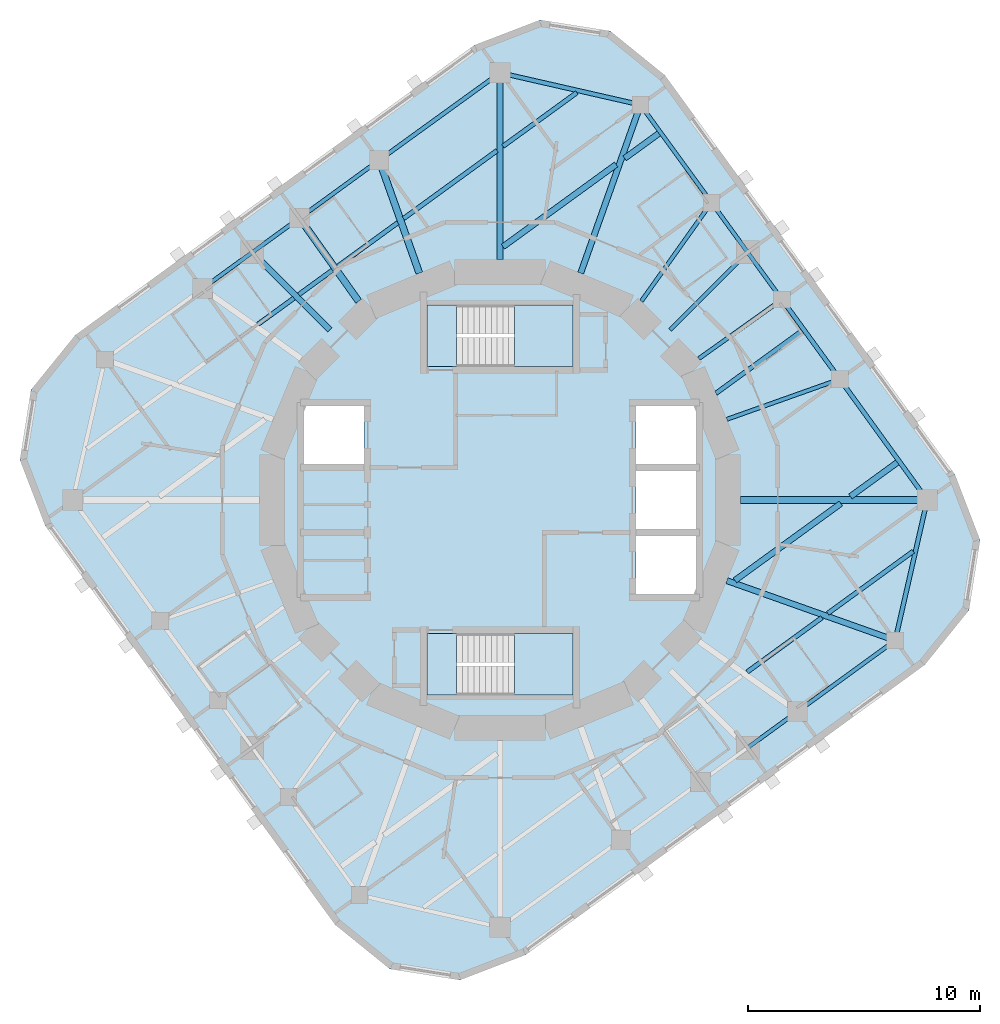
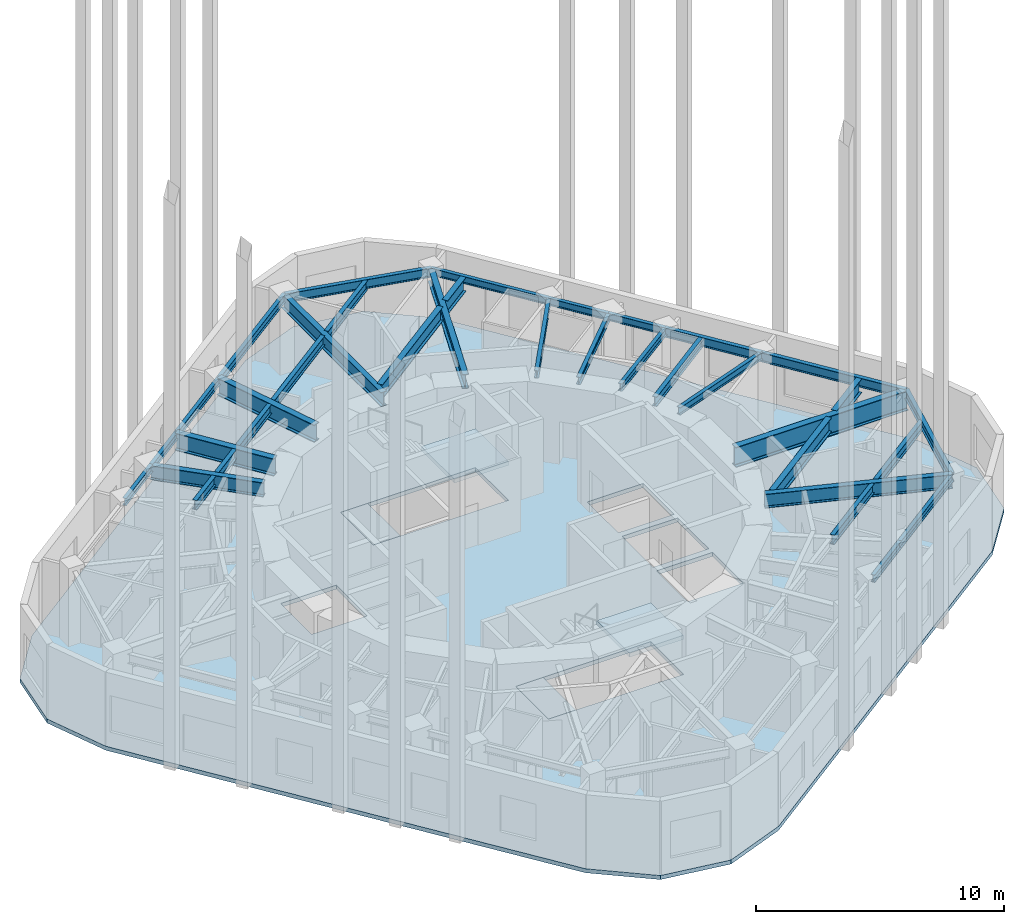
# One storey, part 2 of 9: 36 beams, 5 slabs, 2 elements without a shape of their own.
"""IFC4 building model written with IfcOpenShell, lengths in metres."""

from ifc_helpers import new_model, si_unit, direction, frame, origin, origin_2d, place, context, subcontext, project, spatial, polyline, i_section, outline, extrude, material, layer, layer_set, material_profile, profile_set, type_object, element, aggregate, save


model = new_model("IFC4")

# Units and contexts
model_context = context("Model", 3, precision=1e-05, world=origin(), true_north=direction((0.0, 1.0)))
body_context = subcontext(model_context, "Body", "Model", "MODEL_VIEW")
ifc_project = project(units=[si_unit("LENGTHUNIT", "METRE"), si_unit("AREAUNIT", "SQUARE_METRE"), si_unit("VOLUMEUNIT", "CUBIC_METRE"), si_unit("PLANEANGLEUNIT", "RADIAN"), si_unit("MASSUNIT", "GRAM", prefix="KILO")], contexts=[model_context])

# Site, building, storey
site_placement = place(None, origin())
site = spatial("IfcSite", under=ifc_project, at=site_placement, CompositionType="ELEMENT")
building_placement = place(site_placement, origin())
building = spatial("IfcBuilding", under=site, at=building_placement, Name="Nakasero Lantern House", CompositionType="ELEMENT")
storey_placement = place(building_placement, frame((0.0, 0.0, 263.75)))
storey = spatial("IfcBuildingStorey", under=building, at=storey_placement, Name="L64", CompositionType="ELEMENT", Elevation=263.75)

# Beams
ifc_material_1 = material(Name="Steel S355", Category="steel")
ifc_material_profile_1 = material_profile(ifc_material_1, i_section(OverallWidth=0.19140625, OverallDepth=0.4599609375, WebThickness=0.010009765625, FlangeThickness=0.01611328125, FilletRadius=0.01025390625, at=origin_2d()), Name="UB 457x191x82")
ifc_profile_set_1 = profile_set([ifc_material_profile_1], Name="Steel S355")
beam_type_1 = type_object("IfcBeamType", Name="Infill beam UB 457x191x82", PredefinedType="JOIST", material=ifc_profile_set_1)
beam_1_placement = place(storey_placement, frame((10.646240234375, -7.406982421875, 3.419921875), z_axis=(0.809006350712, 0.587799901759, 0.0), x_axis=(-0.587799901759, 0.809006350712, 0.0)))
element("IfcBeam", 1, at=beam_1_placement, inside=storey, type_object=beam_type_1, Name="Infill beam L65 03.6", PredefinedType="JOIST", context=body_context, shape_type="SweptSolid", body=[
    extrude(i_section(OverallWidth=0.19140625, OverallDepth=0.4599609375, WebThickness=0.010009765625, FlangeThickness=0.01611328125, FilletRadius=0.01025390625, at=origin_2d()), origin(), (0.0, 0.0, 1.0), 3.983154296875),
])
beam_2_placement = place(storey_placement, frame((14.117431640625, -4.885009765625, 3.419921875), z_axis=(0.80901210161, 0.587791986546, 0.0), x_axis=(-0.587791986546, 0.80901210161, 0.0)))
element("IfcBeam", 2, at=beam_2_placement, inside=storey, type_object=beam_type_1, Name="Infill beam L65 03.7", PredefinedType="JOIST", context=body_context, shape_type="SweptSolid", body=[
    extrude(i_section(OverallWidth=0.19140625, OverallDepth=0.4599609375, WebThickness=0.010009765625, FlangeThickness=0.01611328125, FilletRadius=0.01025390625, at=origin_2d()), origin(), (0.0, 0.0, 1.0), 4.55029296875),
])
beam_3_placement = place(storey_placement, frame((9.306396484375, 4.598388671875, 3.419921875), z_axis=(0.809017640959, 0.587784362344, 0.0), x_axis=(-0.587784362344, 0.809017640959, 0.0)))
element("IfcBeam", 3, at=beam_3_placement, inside=storey, type_object=beam_type_1, Name="Infill beam L65 06.1", PredefinedType="JOIST", context=body_context, shape_type="SweptSolid", body=[
    extrude(i_section(OverallWidth=0.19140625, OverallDepth=0.4599609375, WebThickness=0.010009765625, FlangeThickness=0.01611328125, FilletRadius=0.01025390625, at=origin_2d()), origin(), (0.0, 0.0, 1.0), 4.572998046875),
])
beam_4_placement = place(storey_placement, frame((-10.41845703125, 7.572265625, 3.419921875), z_axis=(0.809012638294, 0.587791247877, 0.0), x_axis=(-0.587791247877, 0.809012638294, 0.0)))
element("IfcBeam", 4, at=beam_4_placement, inside=storey, type_object=beam_type_1, Name="Infill beam L65 10.3", PredefinedType="JOIST", context=body_context, shape_type="SweptSolid", body=[
    extrude(i_section(OverallWidth=0.19140625, OverallDepth=0.4599609375, WebThickness=0.010009765625, FlangeThickness=0.01611328125, FilletRadius=0.01025390625, at=origin_2d()), origin(), (0.0, 0.0, 1.0), 1.908203125),
])
beam_5_placement = place(storey_placement, frame((-8.665283203125, 8.84619140625, 3.419921875), z_axis=(0.809060510352, 0.587725353025, 0.0), x_axis=(-0.587725353025, 0.809060510352, 0.0)))
element("IfcBeam", 5, at=beam_5_placement, inside=storey, type_object=beam_type_1, Name="Infill beam L65 10.4", PredefinedType="JOIST", context=body_context, shape_type="SweptSolid", body=[
    extrude(i_section(OverallWidth=0.19140625, OverallDepth=0.4599609375, WebThickness=0.010009765625, FlangeThickness=0.01611328125, FilletRadius=0.01025390625, at=origin_2d()), origin(), (0.0, 0.0, 1.0), 1.7890625),
])
beam_6_placement = place(storey_placement, frame((-6.981201171875, 10.069580078125, 3.419921875), z_axis=(0.809014147131, 0.587789171167, 0.0), x_axis=(-0.587789171167, 0.809014147131, 0.0)))
element("IfcBeam", 6, at=beam_6_placement, inside=storey, type_object=beam_type_1, Name="Infill beam L65 10.5", PredefinedType="JOIST", context=body_context, shape_type="SweptSolid", body=[
    extrude(i_section(OverallWidth=0.19140625, OverallDepth=0.4599609375, WebThickness=0.010009765625, FlangeThickness=0.01611328125, FilletRadius=0.01025390625, at=origin_2d()), origin(), (0.0, 0.0, 1.0), 3.188232421875),
])
beam_7_placement = place(storey_placement, frame((-4.1552734375, 12.122802734375, 3.419921875), z_axis=(0.809018056479, 0.587783790428, 0.0), x_axis=(-0.587783790428, 0.809018056479, 0.0)))
element("IfcBeam", 7, at=beam_7_placement, inside=storey, type_object=beam_type_1, Name="Infill beam L65 10.6", PredefinedType="JOIST", context=body_context, shape_type="SweptSolid", body=[
    extrude(i_section(OverallWidth=0.19140625, OverallDepth=0.4599609375, WebThickness=0.010009765625, FlangeThickness=0.01611328125, FilletRadius=0.01025390625, at=origin_2d()), origin(), (0.0, 0.0, 1.0), 4.97802734375),
])
beam_8_placement = place(storey_placement, frame((0.1279296875, 15.23486328125, 3.419921875), z_axis=(0.809028442836, 0.587769494515, 0.0), x_axis=(-0.587769494515, 0.809028442836, 0.0)))
element("IfcBeam", 8, at=beam_8_placement, inside=storey, type_object=beam_type_1, Name="Infill beam L65 10.7", PredefinedType="JOIST", context=body_context, shape_type="SweptSolid", body=[
    extrude(i_section(OverallWidth=0.19140625, OverallDepth=0.4599609375, WebThickness=0.010009765625, FlangeThickness=0.01611328125, FilletRadius=0.01025390625, at=origin_2d()), origin(), (0.0, 0.0, 1.0), 3.934814453125),
])
ifc_material_2 = material(Name="Steel S355", Category="steel")
ifc_material_profile_2 = material_profile(ifc_material_2, i_section(OverallWidth=0.255859375, OverallDepth=0.69287109375, WebThickness=0.014404296875, FlangeThickness=0.023681640625, FilletRadius=0.01513671875, at=origin_2d()), Name="UB 686x254x170")
ifc_profile_set_2 = profile_set([ifc_material_profile_2], Name="Steel S355")
beam_type_2 = type_object("IfcBeamType", Name="Infill beam UB 686x254x170", PredefinedType="JOIST", material=ifc_profile_set_2)
beam_9_placement = place(storey_placement, frame((10.119384765625, -3.46337890625, 3.303466796875), z_axis=(0.809013172462, 0.587790512669, 0.0), x_axis=(-0.587790512669, 0.809013172462, 0.0)))
element("IfcBeam", 9, at=beam_9_placement, inside=storey, type_object=beam_type_2, Name="Infill beam L65 04.3", PredefinedType="JOIST", context=body_context, shape_type="SweptSolid", body=[
    extrude(i_section(OverallWidth=0.255859375, OverallDepth=0.69287109375, WebThickness=0.014404296875, FlangeThickness=0.023681640625, FilletRadius=0.01513671875, at=origin_2d()), origin(), (0.0, 0.0, 1.0), 5.63720703125),
])
beam_10_placement = place(storey_placement, frame((15.0927734375, 0.14990234375, 3.303466796875), z_axis=(0.809015124384, 0.587787826106, 0.0), x_axis=(-0.587787826106, 0.809015124384, 0.0)))
element("IfcBeam", 10, at=beam_10_placement, inside=storey, type_object=beam_type_2, Name="Infill beam L65 04.4", PredefinedType="JOIST", context=body_context, shape_type="SweptSolid", body=[
    extrude(i_section(OverallWidth=0.255859375, OverallDepth=0.69287109375, WebThickness=0.014404296875, FlangeThickness=0.023681640625, FilletRadius=0.01513671875, at=origin_2d()), origin(), (0.0, 0.0, 1.0), 2.496337890625),
])
beam_11_placement = place(storey_placement, frame((0.1279296875, 10.908447265625, 3.303466796875), z_axis=(0.809011117524, 0.587793340998, 0.0), x_axis=(-0.587793340998, 0.809011117524, 0.0)))
element("IfcBeam", 11, at=beam_11_placement, inside=storey, type_object=beam_type_2, Name="Infill beam L65 09.3", PredefinedType="JOIST", context=body_context, shape_type="SweptSolid", body=[
    extrude(i_section(OverallWidth=0.255859375, OverallDepth=0.69287109375, WebThickness=0.014404296875, FlangeThickness=0.023681640625, FilletRadius=0.01513671875, at=origin_2d()), origin(), (0.0, 0.0, 1.0), 6.024658203125),
])
beam_12_placement = place(storey_placement, frame((5.367919921875, 14.715576171875, 3.303466796875), z_axis=(0.809025740158, 0.587773214566, 0.0), x_axis=(-0.587773214566, 0.809025740158, 0.0)))
element("IfcBeam", 12, at=beam_12_placement, inside=storey, type_object=beam_type_2, Name="Infill beam L65 09.4", PredefinedType="JOIST", context=body_context, shape_type="SweptSolid", body=[
    extrude(i_section(OverallWidth=0.255859375, OverallDepth=0.69287109375, WebThickness=0.014404296875, FlangeThickness=0.023681640625, FilletRadius=0.01513671875, at=origin_2d()), origin(), (0.0, 0.0, 1.0), 1.82177734375),
])
ifc_material_3 = material(Name="Steel S355", Category="steel")
ifc_material_profile_3 = material_profile(ifc_material_3, i_section(OverallWidth=0.300048828125, OverallDepth=0.97998046875, WebThickness=0.0166015625, FlangeThickness=0.02587890625, FilletRadius=0.030029296875, at=origin_2d()), Name="UB 1016x305x249")
ifc_profile_set_3 = profile_set([ifc_material_profile_3], Name="Steel S355")
beam_type_3 = type_object("IfcBeamType", Name="Primary beam UB 1016x305x249, span 6 to 9 m", PredefinedType="BEAM", material=ifc_profile_set_3)
beam_13_placement = place(storey_placement, frame((18.39990234375, 0.0, 3.159912109375), z_axis=(-1.0, 0.0, 0.0), x_axis=(0.0, -1.0, 0.0)))
element("IfcBeam", 13, at=beam_13_placement, inside=storey, type_object=beam_type_3, Name="Primary beam L65 B7-C03", PredefinedType="BEAM", context=body_context, shape_type="SweptSolid", body=[
    extrude(i_section(OverallWidth=0.300048828125, OverallDepth=0.97998046875, WebThickness=0.0166015625, FlangeThickness=0.02587890625, FilletRadius=0.030029296875, at=origin_2d()), origin(), (0.0, 0.0, 1.0), 8.0419921875),
])
ifc_material_4 = material(Name="Steel S355", Category="steel")
ifc_material_profile_4 = material_profile(ifc_material_4, i_section(OverallWidth=0.17138671875, OverallDepth=0.35498046875, WebThickness=0.00732421875, FlangeThickness=0.011474609375, FilletRadius=0.01025390625, at=origin_2d()), Name="UB 356x171x51")
ifc_profile_set_4 = profile_set([ifc_material_profile_4], Name="Steel S355")
beam_type_4 = type_object("IfcBeamType", Name="Primary beam UB 356x171x51, span to 6 m", PredefinedType="BEAM", material=ifc_profile_set_4)
beam_14_placement = place(storey_placement, frame((14.636474609375, 5.2041015625, 3.472412109375), z_axis=(-0.942221324153, -0.3349910093, 0.0), x_axis=(0.3349910093, -0.942221324153, 0.0)))
element("IfcBeam", 14, at=beam_14_placement, inside=storey, type_object=beam_type_4, Name="Primary beam L65 B7-C04", PredefinedType="BEAM", context=body_context, shape_type="SweptSolid", body=[
    extrude(i_section(OverallWidth=0.17138671875, OverallDepth=0.35498046875, WebThickness=0.00732421875, FlangeThickness=0.011474609375, FilletRadius=0.01025390625, at=origin_2d()), origin(), (0.0, 0.0, 1.0), 5.162841796875),
])
beam_15_placement = place(storey_placement, frame((12.1435546875, 8.63525390625, 3.472412109375), z_axis=(-0.814988544116, -0.579477068537, 0.0), x_axis=(0.579477068537, -0.814988544116, 0.0)))
element("IfcBeam", 15, at=beam_15_placement, inside=storey, type_object=beam_type_4, Name="Primary beam L65 B7-C05", PredefinedType="BEAM", context=body_context, shape_type="SweptSolid", body=[
    extrude(i_section(OverallWidth=0.17138671875, OverallDepth=0.35498046875, WebThickness=0.00732421875, FlangeThickness=0.011474609375, FilletRadius=0.01025390625, at=origin_2d()), origin(), (0.0, 0.0, 1.0), 4.396484375),
])
beam_16_placement = place(storey_placement, frame((10.667236328125, 10.667236328125, 3.472412109375), z_axis=(-0.707106781187, -0.707106781187, 0.0), x_axis=(0.707106781187, -0.707106781187, 0.0)))
element("IfcBeam", 16, at=beam_16_placement, inside=storey, type_object=beam_type_4, Name="Primary beam L65 B7-C06", PredefinedType="BEAM", context=body_context, shape_type="SweptSolid", body=[
    extrude(i_section(OverallWidth=0.17138671875, OverallDepth=0.35498046875, WebThickness=0.00732421875, FlangeThickness=0.011474609375, FilletRadius=0.01025390625, at=origin_2d()), origin(), (0.0, 0.0, 1.0), 4.727783203125),
])
beam_17_placement = place(storey_placement, frame((9.10986328125, 12.810791015625, 3.472412109375), z_axis=(-0.579500985986, -0.814971537688, 0.0), x_axis=(0.814971537688, -0.579500985986, 0.0)))
element("IfcBeam", 17, at=beam_17_placement, inside=storey, type_object=beam_type_4, Name="Primary beam L65 B7-C07", PredefinedType="BEAM", context=body_context, shape_type="SweptSolid", body=[
    extrude(i_section(OverallWidth=0.17138671875, OverallDepth=0.35498046875, WebThickness=0.00732421875, FlangeThickness=0.011474609375, FilletRadius=0.01025390625, at=origin_2d()), origin(), (0.0, 0.0, 1.0), 5.215087890625),
])
ifc_material_5 = material(Name="Steel S355", Category="steel")
ifc_material_profile_5 = material_profile(ifc_material_5, i_section(OverallWidth=0.253662109375, OverallDepth=0.68359375, WebThickness=0.012451171875, FlangeThickness=0.01904296875, FilletRadius=0.01513671875, at=origin_2d()), Name="UB 686x254x140")
ifc_profile_set_5 = profile_set([ifc_material_profile_5], Name="Steel S355")
beam_type_5 = type_object("IfcBeamType", Name="Primary beam UB 686x254x140, span 6 to 9 m", PredefinedType="BEAM", material=ifc_profile_set_5)
beam_18_placement = place(storey_placement, frame((17.02001953125, -6.051513671875, 3.308349609375), z_axis=(-0.942222036561, 0.334989005521, 0.0), x_axis=(-0.334989005521, -0.942222036561, 0.0)))
element("IfcBeam", 18, at=beam_18_placement, inside=storey, type_object=beam_type_5, Name="Primary beam L65 B7-C02", PredefinedType="BEAM", context=body_context, shape_type="SweptSolid", body=[
    extrude(i_section(OverallWidth=0.253662109375, OverallDepth=0.68359375, WebThickness=0.012451171875, FlangeThickness=0.01904296875, FilletRadius=0.01513671875, at=origin_2d()), origin(), (0.0, 0.0, 1.0), 7.6923828125),
])
ifc_material_6 = material(Name="Steel S355", Category="steel")
ifc_material_profile_6 = material_profile(ifc_material_6, i_section(OverallWidth=0.255859375, OverallDepth=0.69287109375, WebThickness=0.014404296875, FlangeThickness=0.023681640625, FilletRadius=0.01513671875, at=origin_2d()), Name="UB 686x254x170")
ifc_profile_set_6 = profile_set([ifc_material_profile_6], Name="Steel S355")
beam_type_6 = type_object("IfcBeamType", Name="Primary beam UB 686x254x170, span 6 to 9 m", PredefinedType="BEAM", material=ifc_profile_set_6)
beam_19_placement = place(storey_placement, frame((6.051513671875, 17.02001953125, 3.303466796875), z_axis=(-0.334989005521, -0.942222036561, 0.0), x_axis=(0.942222036561, -0.334989005521, 0.0)))
element("IfcBeam", 19, at=beam_19_placement, inside=storey, type_object=beam_type_6, Name="Primary beam L65 B7-C08", PredefinedType="BEAM", context=body_context, shape_type="SweptSolid", body=[
    extrude(i_section(OverallWidth=0.255859375, OverallDepth=0.69287109375, WebThickness=0.014404296875, FlangeThickness=0.023681640625, FilletRadius=0.01513671875, at=origin_2d()), origin(), (0.0, 0.0, 1.0), 7.6923828125),
])
beam_20_placement = place(storey_placement, frame((0.0, 18.39990234375, 3.303466796875), z_axis=(0.0, -1.0, 0.0), x_axis=(1.0, 0.0, 0.0)))
element("IfcBeam", 20, at=beam_20_placement, inside=storey, type_object=beam_type_6, Name="Primary beam L65 B7-C09", PredefinedType="BEAM", context=body_context, shape_type="SweptSolid", body=[
    extrude(i_section(OverallWidth=0.255859375, OverallDepth=0.69287109375, WebThickness=0.014404296875, FlangeThickness=0.023681640625, FilletRadius=0.01513671875, at=origin_2d()), origin(), (0.0, 0.0, 1.0), 8.0419921875),
])
ifc_material_7 = material(Name="Steel S355", Category="steel")
ifc_material_profile_7 = material_profile(ifc_material_7, i_section(OverallWidth=0.255859375, OverallDepth=0.69287109375, WebThickness=0.014404296875, FlangeThickness=0.023681640625, FilletRadius=0.01513671875, at=origin_2d()), Name="UB 686x254x170")
ifc_profile_set_7 = profile_set([ifc_material_profile_7], Name="Steel S355")
beam_type_7 = type_object("IfcBeamType", Name="Primary beam UB 686x254x170, span to 6 m", PredefinedType="BEAM", material=ifc_profile_set_7)
beam_21_placement = place(storey_placement, frame((-10.667236328125, 10.667236328125, 3.303466796875), z_axis=(0.707106781187, -0.707106781187, 0.0), x_axis=(0.707106781187, 0.707106781187, 0.0)))
element("IfcBeam", 21, at=beam_21_placement, inside=storey, type_object=beam_type_7, Name="Primary beam L65 B7-C12", PredefinedType="BEAM", context=body_context, shape_type="SweptSolid", body=[
    extrude(i_section(OverallWidth=0.255859375, OverallDepth=0.69287109375, WebThickness=0.014404296875, FlangeThickness=0.023681640625, FilletRadius=0.01513671875, at=origin_2d()), origin(), (0.0, 0.0, 1.0), 4.727783203125),
])
ifc_material_8 = material(Name="Steel S355", Category="steel")
ifc_material_profile_8 = material_profile(ifc_material_8, i_section(OverallWidth=0.29248046875, OverallDepth=0.8408203125, WebThickness=0.0146484375, FlangeThickness=0.02685546875, FilletRadius=0.017822265625, at=origin_2d()), Name="UB 838x292x194")
ifc_profile_set_8 = profile_set([ifc_material_profile_8], Name="Steel S355")
beam_type_8 = type_object("IfcBeamType", Name="Primary beam UB 838x292x194, span to 6 m", PredefinedType="BEAM", material=ifc_profile_set_8)
beam_22_placement = place(storey_placement, frame((-5.2041015625, 14.636474609375, 3.229736328125), z_axis=(0.3349910093, -0.942221324153, 0.0), x_axis=(0.942221324153, 0.3349910093, 0.0)))
element("IfcBeam", 22, at=beam_22_placement, inside=storey, type_object=beam_type_8, Name="Primary beam L65 B7-C10", PredefinedType="BEAM", context=body_context, shape_type="SweptSolid", body=[
    extrude(i_section(OverallWidth=0.29248046875, OverallDepth=0.8408203125, WebThickness=0.0146484375, FlangeThickness=0.02685546875, FilletRadius=0.017822265625, at=origin_2d()), origin(), (0.0, 0.0, 1.0), 5.162841796875),
])
beam_23_placement = place(storey_placement, frame((-8.63525390625, 12.1435546875, 3.229736328125), z_axis=(0.579477068537, -0.814988544116, 0.0), x_axis=(0.814988544116, 0.579477068537, 0.0)))
element("IfcBeam", 23, at=beam_23_placement, inside=storey, type_object=beam_type_8, Name="Primary beam L65 B7-C11", PredefinedType="BEAM", context=body_context, shape_type="SweptSolid", body=[
    extrude(i_section(OverallWidth=0.29248046875, OverallDepth=0.8408203125, WebThickness=0.0146484375, FlangeThickness=0.02685546875, FilletRadius=0.017822265625, at=origin_2d()), origin(), (0.0, 0.0, 1.0), 4.396484375),
])
ifc_material_9 = material(Name="Steel S355", Category="steel")
ifc_material_profile_9 = material_profile(ifc_material_9, i_section(OverallWidth=0.17138671875, OverallDepth=0.35498046875, WebThickness=0.00732421875, FlangeThickness=0.011474609375, FilletRadius=0.01025390625, at=origin_2d()), Name="UB 356x171x51")
ifc_profile_set_9 = profile_set([ifc_material_profile_9], Name="Steel S355")
beam_type_9 = type_object("IfcBeamType", Name="Ring beam UB 356x171x51", PredefinedType="BEAM", material=ifc_profile_set_9)
beam_24_placement = place(storey_placement, frame((12.810791015625, -9.10986328125, 3.472412109375), z_axis=(0.809001814948, 0.587806144414, 0.0), x_axis=(-0.587806144414, 0.809001814948, 0.0)))
element("IfcBeam", 24, at=beam_24_placement, inside=storey, type_object=beam_type_9, Name="Ring beam L65 B7-C01", PredefinedType="BEAM", context=body_context, shape_type="SweptSolid", body=[
    extrude(i_section(OverallWidth=0.17138671875, OverallDepth=0.35498046875, WebThickness=0.00732421875, FlangeThickness=0.011474609375, FilletRadius=0.01025390625, at=origin_2d()), origin(), (0.0, 0.0, 1.0), 5.202880859375),
])
beam_25_placement = place(storey_placement, frame((12.1435546875, 8.63525390625, 3.472412109375), z_axis=(-0.58778439593, 0.809017616558, 0.0), x_axis=(-0.809017616558, -0.58778439593, 0.0)))
element("IfcBeam", 25, at=beam_25_placement, inside=storey, type_object=beam_type_9, Name="Ring beam L65 B7-C05", PredefinedType="BEAM", context=body_context, shape_type="SweptSolid", body=[
    extrude(i_section(OverallWidth=0.17138671875, OverallDepth=0.35498046875, WebThickness=0.00732421875, FlangeThickness=0.011474609375, FilletRadius=0.01025390625, at=origin_2d()), origin(), (0.0, 0.0, 1.0), 2.51171875),
])
beam_26_placement = place(storey_placement, frame((10.667236328125, 10.667236328125, 3.472412109375), z_axis=(-0.587782635143, 0.809018895839, 0.0), x_axis=(-0.809018895839, -0.587782635143, 0.0)))
element("IfcBeam", 26, at=beam_26_placement, inside=storey, type_object=beam_type_9, Name="Ring beam L65 B7-C06", PredefinedType="BEAM", context=body_context, shape_type="SweptSolid", body=[
    extrude(i_section(OverallWidth=0.17138671875, OverallDepth=0.35498046875, WebThickness=0.00732421875, FlangeThickness=0.011474609375, FilletRadius=0.01025390625, at=origin_2d()), origin(), (0.0, 0.0, 1.0), 2.649658203125),
])
beam_27_placement = place(storey_placement, frame((9.10986328125, 12.810791015625, 3.472412109375), z_axis=(-0.587806144414, 0.809001814948, 0.0), x_axis=(-0.809001814948, -0.587806144414, 0.0)))
element("IfcBeam", 27, at=beam_27_placement, inside=storey, type_object=beam_type_9, Name="Ring beam L65 B7-C07", PredefinedType="BEAM", context=body_context, shape_type="SweptSolid", body=[
    extrude(i_section(OverallWidth=0.17138671875, OverallDepth=0.35498046875, WebThickness=0.00732421875, FlangeThickness=0.011474609375, FilletRadius=0.01025390625, at=origin_2d()), origin(), (0.0, 0.0, 1.0), 5.202880859375),
])
beam_28_placement = place(storey_placement, frame((-5.2041015625, 14.636474609375, 3.472412109375), z_axis=(-0.809012304944, -0.587791706687, 0.0), x_axis=(0.587791706687, -0.809012304944, 0.0)))
element("IfcBeam", 28, at=beam_28_placement, inside=storey, type_object=beam_type_9, Name="Ring beam L65 B7-C10", PredefinedType="BEAM", context=body_context, shape_type="SweptSolid", body=[
    extrude(i_section(OverallWidth=0.17138671875, OverallDepth=0.35498046875, WebThickness=0.00732421875, FlangeThickness=0.011474609375, FilletRadius=0.01025390625, at=origin_2d()), origin(), (0.0, 0.0, 1.0), 4.2412109375),
])
beam_29_placement = place(storey_placement, frame((-8.63525390625, 12.1435546875, 3.472412109375), z_axis=(-0.809017616558, -0.58778439593, 0.0), x_axis=(0.58778439593, -0.809017616558, 0.0)))
element("IfcBeam", 29, at=beam_29_placement, inside=storey, type_object=beam_type_9, Name="Ring beam L65 B7-C11", PredefinedType="BEAM", context=body_context, shape_type="SweptSolid", body=[
    extrude(i_section(OverallWidth=0.17138671875, OverallDepth=0.35498046875, WebThickness=0.00732421875, FlangeThickness=0.011474609375, FilletRadius=0.01025390625, at=origin_2d()), origin(), (0.0, 0.0, 1.0), 2.51171875),
])
for number, where, z_axis, x_axis, name in (
    (30, (-10.667236328125, 10.667236328125, 3.472412109375), (-0.809018895839, -0.587782635143, 0.0), (0.587782635143, -0.809018895839, 0.0), "Ring beam L65 B7-C12"),
    (31, (10.667236328125, -10.667236328125, 3.472412109375), (0.809018895839, 0.587782635143, 0.0), (-0.587782635143, 0.809018895839, 0.0), "Ring beam L65 B7-C24"),
):
    element("IfcBeam", number, at=place(storey_placement, frame(where, z_axis=z_axis, x_axis=x_axis)), inside=storey, type_object=beam_type_9, Name=name, PredefinedType="BEAM", context=body_context, shape_type="SweptSolid", body=[
        extrude(i_section(OverallWidth=0.17138671875, OverallDepth=0.35498046875, WebThickness=0.00732421875, FlangeThickness=0.011474609375, FilletRadius=0.01025390625, at=origin_2d()), origin(), (0.0, 0.0, 1.0), 2.649658203125),
    ])
ifc_material_10 = material(Name="Steel S355", Category="steel")
ifc_material_profile_10 = material_profile(ifc_material_10, i_section(OverallWidth=0.177978515625, OverallDepth=0.406494140625, WebThickness=0.0078125, FlangeThickness=0.0126953125, FilletRadius=0.01025390625, at=origin_2d()), Name="UB 406x178x60")
ifc_profile_set_10 = profile_set([ifc_material_profile_10], Name="Steel S355")
beam_type_10 = type_object("IfcBeamType", Name="Ring beam UB 406x178x60", PredefinedType="BEAM", material=ifc_profile_set_10)
beam_30_placement = place(storey_placement, frame((0.0, 18.39990234375, 3.44677734375), z_axis=(-0.810316200404, -0.58599287996, 0.0), x_axis=(0.58599287996, -0.810316200404, 0.0)))
element("IfcBeam", 32, at=beam_30_placement, inside=storey, type_object=beam_type_10, Name="Ring beam L65 B7-C09", PredefinedType="BEAM", context=body_context, shape_type="SweptSolid", body=[
    extrude(i_section(OverallWidth=0.177978515625, OverallDepth=0.406494140625, WebThickness=0.0078125, FlangeThickness=0.0126953125, FilletRadius=0.01025390625, at=origin_2d()), origin(), (0.0, 0.0, 1.0), 6.42236328125),
])
ifc_material_11 = material(Name="Steel S355", Category="steel")
ifc_material_profile_11 = material_profile(ifc_material_11, i_section(OverallWidth=0.18994140625, OverallDepth=0.453369140625, WebThickness=0.008544921875, FlangeThickness=0.0126953125, FilletRadius=0.01025390625, at=origin_2d()), Name="UB 457x191x67")
ifc_profile_set_11 = profile_set([ifc_material_profile_11], Name="Steel S355")
beam_type_11 = type_object("IfcBeamType", Name="Ring beam UB 457x191x67", PredefinedType="BEAM", material=ifc_profile_set_11)
beam_31_placement = place(storey_placement, frame((17.02001953125, -6.051513671875, 3.42333984375), z_axis=(0.222316387753, 0.974974575944, 0.0), x_axis=(-0.974974575944, 0.222316387753, 0.0)))
element("IfcBeam", 33, at=beam_31_placement, inside=storey, type_object=beam_type_11, Name="Ring beam L65 B7-C02", PredefinedType="BEAM", context=body_context, shape_type="SweptSolid", body=[
    extrude(i_section(OverallWidth=0.18994140625, OverallDepth=0.453369140625, WebThickness=0.008544921875, FlangeThickness=0.0126953125, FilletRadius=0.01025390625, at=origin_2d()), origin(), (0.0, 0.0, 1.0), 6.206787109375),
])
beam_32_placement = place(storey_placement, frame((14.636474609375, 5.2041015625, 3.42333984375), z_axis=(-0.587791706687, 0.809012304944, 0.0), x_axis=(-0.809012304944, -0.587791706687, 0.0)))
element("IfcBeam", 34, at=beam_32_placement, inside=storey, type_object=beam_type_11, Name="Ring beam L65 B7-C04", PredefinedType="BEAM", context=body_context, shape_type="SweptSolid", body=[
    extrude(i_section(OverallWidth=0.18994140625, OverallDepth=0.453369140625, WebThickness=0.008544921875, FlangeThickness=0.0126953125, FilletRadius=0.01025390625, at=origin_2d()), origin(), (0.0, 0.0, 1.0), 4.2412109375),
])
beam_33_placement = place(storey_placement, frame((6.051513671875, 17.02001953125, 3.42333984375), z_axis=(-0.974974575944, 0.222316387753, 0.0), x_axis=(-0.222316387753, -0.974974575944, 0.0)))
element("IfcBeam", 35, at=beam_33_placement, inside=storey, type_object=beam_type_11, Name="Ring beam L65 B7-C08", PredefinedType="BEAM", context=body_context, shape_type="SweptSolid", body=[
    extrude(i_section(OverallWidth=0.18994140625, OverallDepth=0.453369140625, WebThickness=0.008544921875, FlangeThickness=0.0126953125, FilletRadius=0.01025390625, at=origin_2d()), origin(), (0.0, 0.0, 1.0), 6.206787109375),
])
ifc_material_12 = material(Name="Steel S355", Category="steel")
ifc_material_profile_12 = material_profile(ifc_material_12, i_section(OverallWidth=0.19140625, OverallDepth=0.4599609375, WebThickness=0.010009765625, FlangeThickness=0.01611328125, FilletRadius=0.01025390625, at=origin_2d()), Name="UB 457x191x82")
ifc_profile_set_12 = profile_set([ifc_material_profile_12], Name="Steel S355")
beam_type_12 = type_object("IfcBeamType", Name="Ring beam UB 457x191x82", PredefinedType="BEAM", material=ifc_profile_set_12)
beam_34_placement = place(storey_placement, frame((18.39990234375, 0.0, 3.419921875), z_axis=(-0.58599287996, 0.810316200404, 0.0), x_axis=(-0.810316200404, -0.58599287996, 0.0)))
element("IfcBeam", 36, at=beam_34_placement, inside=storey, type_object=beam_type_12, Name="Ring beam L65 B7-C03", PredefinedType="BEAM", context=body_context, shape_type="SweptSolid", body=[
    extrude(i_section(OverallWidth=0.19140625, OverallDepth=0.4599609375, WebThickness=0.010009765625, FlangeThickness=0.01611328125, FilletRadius=0.01025390625, at=origin_2d()), origin(), (0.0, 0.0, 1.0), 6.42236328125),
])

# Slab
ifc_material_13 = material(Name="Concrete C35/45", Category="concrete")
ifc_layer_1 = layer(ifc_material_13, 0.199951171875)
ifc_layer_set_1 = layer_set([ifc_layer_1], Name="Composite floor slab 200")
slab_type_1 = type_object("IfcSlabType", Name="Composite floor slab 200", PredefinedType="FLOOR", material=ifc_layer_set_1)
slab_1_placement = place(storey_placement, frame((0.0, 0.0, -0.199951171875)))
element("IfcSlab", 37, at=slab_1_placement, inside=storey, type_object=slab_type_1, Name="Floor slab L64", PredefinedType="FLOOR", context=body_context, shape_type="SweptSolid", body=[
    extrude(outline(polyline([(7.1181640625, 18.27392578125), (4.744873046875, 20.196044921875), (1.728271484375, 20.673828125), (-1.122802734375, 19.579345703125), (-18.27392578125, 7.1181640625), (-20.196044921875, 4.744873046875), (-20.673828125, 1.728271484375), (-19.579345703125, -1.122802734375), (-7.1181640625, -18.27392578125), (-4.744873046875, -20.196044921875), (-1.728271484375, -20.673828125), (1.122802734375, -19.579345703125), (18.27392578125, -7.1181640625), (20.196044921875, -4.744873046875), (20.673828125, -1.728271484375), (19.579345703125, 1.122802734375), (7.1181640625, 18.27392578125)]), holes=[polyline([(-8.449951171875, 1.550048828125), (-5.85009765625, 1.550048828125), (-5.85009765625, 4.050048828125), (-8.449951171875, 4.050048828125), (-8.449951171875, 1.550048828125)]), polyline([(5.85009765625, -4.050048828125), (8.449951171875, -4.050048828125), (8.449951171875, -1.550048828125), (5.85009765625, -1.550048828125), (5.85009765625, -4.050048828125)]), polyline([(5.85009765625, -1.25), (8.449951171875, -1.25), (8.449951171875, 1.25), (5.85009765625, 1.25), (5.85009765625, -1.25)]), polyline([(5.85009765625, 1.550048828125), (8.449951171875, 1.550048828125), (8.449951171875, 4.050048828125), (5.85009765625, 4.050048828125), (5.85009765625, 1.550048828125)]), polyline([(-3.14990234375, 5.75), (3.14990234375, 5.75), (3.14990234375, 8.39990234375), (-3.14990234375, 8.39990234375), (-3.14990234375, 5.75)]), polyline([(-3.14990234375, -8.39990234375), (3.14990234375, -8.39990234375), (3.14990234375, -5.75), (-3.14990234375, -5.75), (-3.14990234375, -8.39990234375)])]), origin(), (0.0, 0.0, 1.0), 0.199951171875),
])

# Stair, slabs
ifc_material_14 = material(Name="Concrete C40/50", Category="concrete")
stair_type_1 = type_object("IfcStairType", Name="Escape stair ST1 22 risers", PredefinedType="HALF_TURN_STAIR", material=ifc_material_14)
stair_1_placement = place(storey_placement, origin())
stair_1 = element("IfcStair", 38, at=stair_1_placement, inside=storey, type_object=stair_type_1, Name="Escape stair ST1 L64", PredefinedType="HALF_TURN_STAIR")
ifc_material_15 = material(Name="Concrete C40/50", Category="concrete")
ifc_layer_2 = layer(ifc_material_15, 0.199951171875)
ifc_layer_set_2 = layer_set([ifc_layer_2], Name="Stair landing 200")
slab_type_2 = type_object("IfcSlabType", Name="Stair landing 200", PredefinedType="LANDING", material=ifc_layer_set_2)
slab_2_placement = place(storey_placement, frame((0.0, 0.0, -0.199951171875)))
slab_2 = element("IfcSlab", 39, at=slab_2_placement, type_object=slab_type_2, Name="ST1 landing 1", PredefinedType="LANDING", context=body_context, shape_type="SweptSolid", body=[
    extrude(outline(polyline([(-3.14990234375, 5.75), (-1.875, 5.75), (-1.875, 8.39990234375), (-3.14990234375, 8.39990234375), (-3.14990234375, 5.75)])), origin(), (0.0, 0.0, 1.0), 0.199951171875),
])
slab_3_placement = place(storey_placement, frame((0.0, 0.0, 1.72509765625)))
slab_3 = element("IfcSlab", 40, at=slab_3_placement, type_object=slab_type_2, Name="ST1 landing 2", PredefinedType="LANDING", context=body_context, shape_type="SweptSolid", body=[
    extrude(outline(polyline([(0.625, 5.75), (3.14990234375, 5.75), (3.14990234375, 8.39990234375), (0.625, 8.39990234375), (0.625, 5.75)])), origin(), (0.0, 0.0, 1.0), 0.199951171875),
])
aggregate(stair_1, [slab_2, slab_3])

ifc_material_16 = material(Name="Concrete C40/50", Category="concrete")
stair_type_2 = type_object("IfcStairType", Name="Escape stair ST2 22 risers", PredefinedType="HALF_TURN_STAIR", material=ifc_material_16)
stair_2_placement = place(storey_placement, origin())
stair_2 = element("IfcStair", 41, at=stair_2_placement, inside=storey, type_object=stair_type_2, Name="Escape stair ST2 L64", PredefinedType="HALF_TURN_STAIR")
slab_4_placement = place(storey_placement, frame((0.0, 0.0, -0.199951171875)))
slab_4 = element("IfcSlab", 42, at=slab_4_placement, type_object=slab_type_2, Name="ST2 landing 1", PredefinedType="LANDING", context=body_context, shape_type="SweptSolid", body=[
    extrude(outline(polyline([(-3.14990234375, -8.39990234375), (-1.875, -8.39990234375), (-1.875, -5.75), (-3.14990234375, -5.75), (-3.14990234375, -8.39990234375)])), origin(), (0.0, 0.0, 1.0), 0.199951171875),
])
slab_5_placement = place(storey_placement, frame((0.0, 0.0, 1.72509765625)))
slab_5 = element("IfcSlab", 43, at=slab_5_placement, type_object=slab_type_2, Name="ST2 landing 2", PredefinedType="LANDING", context=body_context, shape_type="SweptSolid", body=[
    extrude(outline(polyline([(0.625, -8.39990234375), (3.14990234375, -8.39990234375), (3.14990234375, -5.75), (0.625, -5.75), (0.625, -8.39990234375)])), origin(), (0.0, 0.0, 1.0), 0.199951171875),
])
aggregate(stair_2, [slab_4, slab_5])

save(model, "model.ifc")
